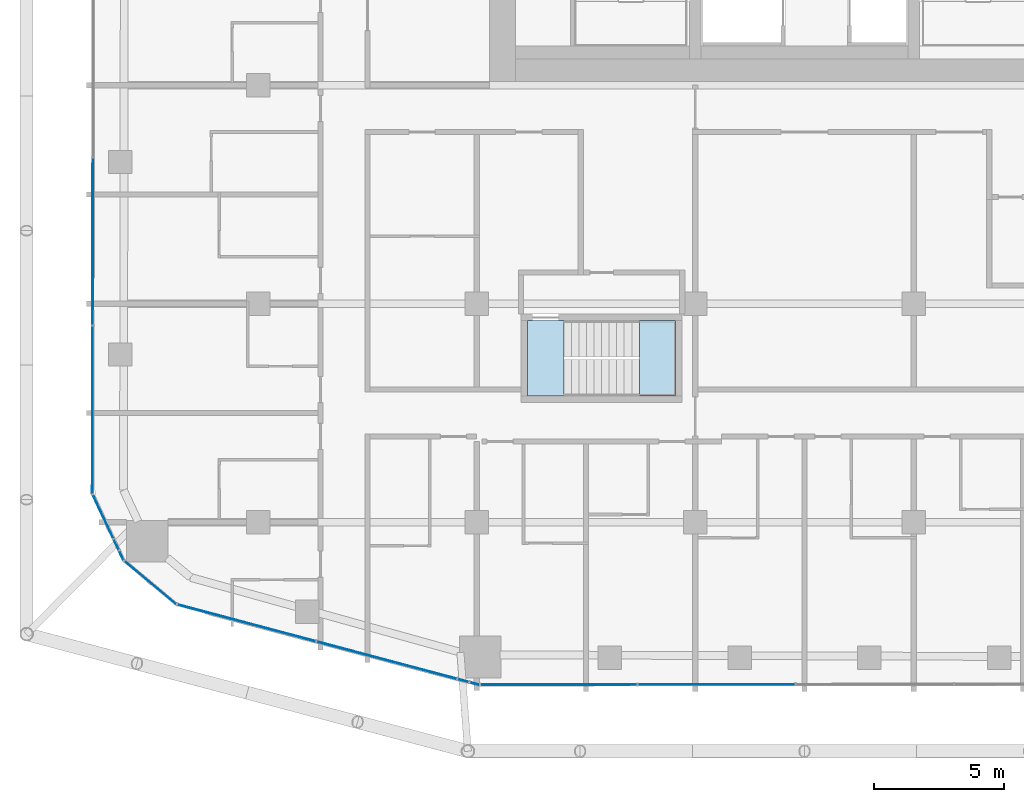
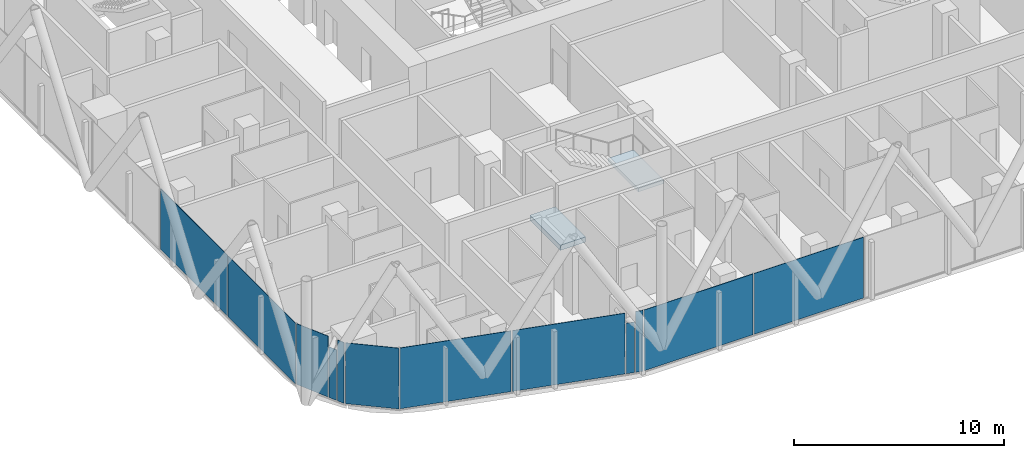
# One storey, part 18 of 33: 12 plates, 2 slabs, 10 elements without a shape of their own.
"""IFC4 building model written with IfcOpenShell, lengths in metres."""

from ifc_helpers import new_model, si_unit, direction, frame, origin, origin_2d, place, context, subcontext, project, spatial, polyline, rectangle, outline, extrude, material, layer, layer_set, type_object, element, aggregate, save


model = new_model("IFC4")

# Units and contexts
model_context = context("Model", 3, precision=1e-05, world=origin(), true_north=direction((0.0, 1.0)))
body_context = subcontext(model_context, "Body", "Model", "MODEL_VIEW")
ifc_project = project(units=[si_unit("LENGTHUNIT", "METRE"), si_unit("AREAUNIT", "SQUARE_METRE"), si_unit("VOLUMEUNIT", "CUBIC_METRE"), si_unit("PLANEANGLEUNIT", "RADIAN"), si_unit("MASSUNIT", "GRAM", prefix="KILO")], contexts=[model_context])

# Site, building, storey
site_placement = place(None, origin())
site = spatial("IfcSite", under=ifc_project, at=site_placement, CompositionType="ELEMENT")
building_placement = place(site_placement, origin())
building = spatial("IfcBuilding", under=site, at=building_placement, Name="Marenta Gate Hotel Tower", CompositionType="ELEMENT")
storey_placement = place(building_placement, frame((0.0, 0.0, 108.5)))
storey = spatial("IfcBuildingStorey", under=building, at=storey_placement, Name="L23", CompositionType="ELEMENT", Elevation=108.5)

# Curtain wall, plates
ifc_material_1 = material(Name="Tinted insulated glass in bronze anodised frame", Category="glass")
ifc_layer_1 = layer(ifc_material_1, 0.1201171875)
ifc_layer_set_1 = layer_set([ifc_layer_1], Name="Tinted insulated glass in bronze anodised frame")
curtain_wall_type = type_object("IfcCurtainWallType", Name="Tower unitised curtain wall CW1", PredefinedType="NOTDEFINED", material=ifc_layer_set_1)
curtain_wall_1_placement = place(storey_placement, origin())
curtain_wall_1 = element("IfcCurtainWall", 1, at=curtain_wall_1_placement, inside=storey, type_object=curtain_wall_type, Name="CW1 run G04", PredefinedType="NOTDEFINED")
ifc_material_2 = material(Name="Tinted insulated glass", Category="glass")
ifc_layer_2 = layer(ifc_material_2, 0.028076171875)
ifc_layer_set_2 = layer_set([ifc_layer_2], Name="Tinted insulated glass")
plate_type = type_object("IfcPlateType", Name="Glass panel CW1 28 mm tinted insulated unit", PredefinedType="CURTAIN_PANEL", material=ifc_layer_set_2)
plate_1_placement = place(storey_placement, frame((-27.35791015625, -6.00390625, 0.06005859375), z_axis=(0.0, 0.0, 1.0), x_axis=(-0.001566045546, -0.99999877375, 0.0)))
plate_1 = element("IfcPlate", 2, at=plate_1_placement, type_object=plate_type, Name="CW1 panel 5.1", PredefinedType="CURTAIN_PANEL", context=body_context, shape_type="SweptSolid", body=[
    extrude(rectangle(XDim=6.39990234375, YDim=0.028076171875, at=origin_2d()), origin(), (0.0, 0.0, 1.0), 3.5400390625),
])
plate_2_placement = place(storey_placement, frame((-27.367919921875, -12.478759765625, 0.06005859375), z_axis=(0.0, 0.0, 1.0), x_axis=(-0.001566045546, -0.99999877375, 0.0)))
plate_2 = element("IfcPlate", 3, at=plate_2_placement, type_object=plate_type, Name="CW1 panel 6.1", PredefinedType="CURTAIN_PANEL", context=body_context, shape_type="SweptSolid", body=[
    extrude(rectangle(XDim=6.429931640625, YDim=0.028076171875, at=origin_2d()), origin(), (0.0, 0.0, 1.0), 3.5400390625),
])
aggregate(curtain_wall_1, [plate_1, plate_2])

# Curtain wall, plate
curtain_wall_2_placement = place(storey_placement, origin())
curtain_wall_2 = element("IfcCurtainWall", 4, at=curtain_wall_2_placement, inside=storey, type_object=curtain_wall_type, Name="CW1 run G05", PredefinedType="NOTDEFINED")
plate_3_placement = place(storey_placement, frame((-26.95849609375, -16.580810546875, 0.06005859375), z_axis=(0.0, 0.0, 1.0), x_axis=(0.423346909938, -0.90596765607, 0.0)))
plate_3 = element("IfcPlate", 5, at=plate_3_placement, type_object=plate_type, Name="CW1 panel 1.1", PredefinedType="CURTAIN_PANEL", context=body_context, shape_type="SweptSolid", body=[
    extrude(rectangle(XDim=1.837890625, YDim=0.028076171875, at=origin_2d()), origin(), (0.0, 0.0, 1.0), 3.5400390625),
])
aggregate(curtain_wall_2, [plate_3])

curtain_wall_3_placement = place(storey_placement, origin())
curtain_wall_3 = element("IfcCurtainWall", 6, at=curtain_wall_3_placement, inside=storey, type_object=curtain_wall_type, Name="CW1 run G06", PredefinedType="NOTDEFINED")
plate_4_placement = place(storey_placement, frame((-26.45458984375, -17.6591796875, 0.06005859375), z_axis=(0.0, 0.0, 1.0), x_axis=(0.423361641148, -0.905960772222, 0.0)))
plate_4 = element("IfcPlate", 7, at=plate_4_placement, type_object=plate_type, Name="CW1 panel 1.1", PredefinedType="CURTAIN_PANEL", context=body_context, shape_type="SweptSolid", body=[
    extrude(rectangle(XDim=0.4228515625, YDim=0.028076171875, at=origin_2d()), origin(), (0.0, 0.0, 1.0), 2.9404296875),
])
aggregate(curtain_wall_3, [plate_4])

curtain_wall_4_placement = place(storey_placement, origin())
curtain_wall_4 = element("IfcCurtainWall", 8, at=curtain_wall_4_placement, inside=storey, type_object=curtain_wall_type, Name="CW1 run G07", PredefinedType="NOTDEFINED")
plate_5_placement = place(storey_placement, frame((-26.25732421875, -18.081298828125, 0.06005859375), z_axis=(0.0, 0.0, 1.0), x_axis=(0.42327548639, -0.906001027936, 0.0)))
plate_5 = element("IfcPlate", 9, at=plate_5_placement, type_object=plate_type, Name="CW1 panel 1.1", PredefinedType="CURTAIN_PANEL", context=body_context, shape_type="SweptSolid", body=[
    extrude(rectangle(XDim=0.38916015625, YDim=0.028076171875, at=origin_2d()), origin(), (0.0, 0.0, 1.0), 3.5400390625),
])
aggregate(curtain_wall_4, [plate_5])

curtain_wall_5_placement = place(storey_placement, origin())
curtain_wall_5 = element("IfcCurtainWall", 10, at=curtain_wall_5_placement, inside=storey, type_object=curtain_wall_type, Name="CW1 run G08", PredefinedType="NOTDEFINED")
plate_6_placement = place(storey_placement, frame((-25.14111328125, -19.1220703125, 0.06005859375), z_axis=(0.0, 0.0, 1.0), x_axis=(0.767112858807, -0.641512168126, 0.0)))
plate_6 = element("IfcPlate", 11, at=plate_6_placement, type_object=plate_type, Name="CW1 panel 1.1", PredefinedType="CURTAIN_PANEL", context=body_context, shape_type="SweptSolid", body=[
    extrude(rectangle(XDim=2.5751953125, YDim=0.028076171875, at=origin_2d()), origin(), (0.0, 0.0, 1.0), 3.5400390625),
])
aggregate(curtain_wall_5, [plate_6])

# Curtain wall, plates
curtain_wall_6_placement = place(storey_placement, origin())
curtain_wall_6 = element("IfcCurtainWall", 12, at=curtain_wall_6_placement, inside=storey, type_object=curtain_wall_type, Name="CW1 run G09", PredefinedType="NOTDEFINED")
plate_7_placement = place(storey_placement, frame((-21.44482421875, -20.6689453125, 0.06005859375), z_axis=(0.0, 0.0, 1.0), x_axis=(0.966373224743, -0.257143521209, 0.0)))
plate_7 = element("IfcPlate", 13, at=plate_7_placement, type_object=plate_type, Name="CW1 panel 1.1", PredefinedType="CURTAIN_PANEL", context=body_context, shape_type="SweptSolid", body=[
    extrude(rectangle(XDim=5.485595703125, YDim=0.028076171875, at=origin_2d()), origin(), (0.0, 0.0, 1.0), 3.5400390625),
])
plate_8_placement = place(storey_placement, frame((-16.056884765625, -22.1025390625, 0.06005859375), z_axis=(0.0, 0.0, 1.0), x_axis=(0.966373224743, -0.257143521209, 0.0)))
plate_8 = element("IfcPlate", 14, at=plate_8_placement, type_object=plate_type, Name="CW1 panel 2.1", PredefinedType="CURTAIN_PANEL", context=body_context, shape_type="SweptSolid", body=[
    extrude(rectangle(XDim=5.54541015625, YDim=0.028076171875, at=origin_2d()), origin(), (0.0, 0.0, 1.0), 3.5400390625),
])
aggregate(curtain_wall_6, [plate_7, plate_8])

# Curtain wall, plate
curtain_wall_7_placement = place(storey_placement, origin())
curtain_wall_7 = element("IfcCurtainWall", 15, at=curtain_wall_7_placement, inside=storey, type_object=curtain_wall_type, Name="CW1 run G10", PredefinedType="NOTDEFINED")
plate_9_placement = place(storey_placement, frame((-13.11669921875, -22.885009765625, 0.06005859375), z_axis=(0.0, 0.0, 1.0), x_axis=(0.966404263523, -0.257026845764, 0.0)))
plate_9 = element("IfcPlate", 16, at=plate_9_placement, type_object=plate_type, Name="CW1 panel 1.1", PredefinedType="CURTAIN_PANEL", context=body_context, shape_type="SweptSolid", body=[
    extrude(rectangle(XDim=0.419677734375, YDim=0.028076171875, at=origin_2d()), origin(), (0.0, 0.0, 1.0), 2.9404296875),
])
aggregate(curtain_wall_7, [plate_9])

curtain_wall_8_placement = place(storey_placement, origin())
curtain_wall_8 = element("IfcCurtainWall", 17, at=curtain_wall_8_placement, inside=storey, type_object=curtain_wall_type, Name="CW1 run G11", PredefinedType="NOTDEFINED")
plate_10_placement = place(storey_placement, frame((-12.680908203125, -23.0009765625, 0.06005859375), z_axis=(0.0, 0.0, 1.0), x_axis=(0.966337096576, -0.257279256414, 0.0)))
plate_10 = element("IfcPlate", 18, at=plate_10_placement, type_object=plate_type, Name="CW1 panel 1.1", PredefinedType="CURTAIN_PANEL", context=body_context, shape_type="SweptSolid", body=[
    extrude(rectangle(XDim=0.362060546875, YDim=0.028076171875, at=origin_2d()), origin(), (0.0, 0.0, 1.0), 3.5400390625),
])
aggregate(curtain_wall_8, [plate_10])

# Curtain wall, plates
curtain_wall_9_placement = place(storey_placement, origin())
curtain_wall_9 = element("IfcCurtainWall", 19, at=curtain_wall_9_placement, inside=storey, type_object=curtain_wall_type, Name="CW1 run G12", PredefinedType="NOTDEFINED")
plate_11_placement = place(storey_placement, frame((-9.449951171875, -23.043212890625, 0.06005859375), z_axis=(0.0, 0.0, 1.0), x_axis=(0.999999068791, 0.00136470383, 0.0)))
plate_11 = element("IfcPlate", 20, at=plate_11_placement, type_object=plate_type, Name="CW1 panel 1.1", PredefinedType="CURTAIN_PANEL", context=body_context, shape_type="SweptSolid", body=[
    extrude(rectangle(XDim=5.991943359375, YDim=0.028076171875, at=origin_2d()), origin(), (0.0, 0.0, 1.0), 3.5400390625),
])
plate_12_placement = place(storey_placement, frame((-3.383056640625, -23.03515625, 0.06005859375), z_axis=(0.0, 0.0, 1.0), x_axis=(0.999999068791, 0.00136470383, 0.0)))
plate_12 = element("IfcPlate", 21, at=plate_12_placement, type_object=plate_type, Name="CW1 panel 2.1", PredefinedType="CURTAIN_PANEL", context=body_context, shape_type="SweptSolid", body=[
    extrude(rectangle(XDim=6.02197265625, YDim=0.028076171875, at=origin_2d()), origin(), (0.0, 0.0, 1.0), 3.5400390625),
])
aggregate(curtain_wall_9, [plate_11, plate_12])

# Stair, slab
ifc_material_3 = material(Name="Concrete C40", Category="concrete")
stair_type = type_object("IfcStairType", Name="Remote exit stair 1400 wide", PredefinedType="HALF_TURN_STAIR", material=ifc_material_3)
stair_placement = place(storey_placement, origin())
stair = element("IfcStair", 22, at=stair_placement, inside=storey, type_object=stair_type, Name="Exit stair RS-Z2-1", PredefinedType="HALF_TURN_STAIR")
ifc_material_4 = material(Name="Concrete C40", Category="concrete")
ifc_layer_3 = layer(ifc_material_4, 0.199951171875)
ifc_layer_set_3 = layer_set([ifc_layer_3], Name="Concrete C40")
slab_type_1 = type_object("IfcSlabType", Name="Remote stair landing 200", PredefinedType="LANDING", material=ifc_layer_set_3)
slab_1_placement = place(storey_placement, frame((0.0, 0.0, 1.60009765625)))
slab_1 = element("IfcSlab", 23, at=slab_1_placement, type_object=slab_type_1, Name="RL-200 RS-Z2-1 landing 1", PredefinedType="LANDING", context=body_context, shape_type="SweptSolid", body=[
    extrude(outline(polyline([(-6.35009765625, -11.949951171875), (-4.949951171875, -11.949951171875), (-4.949951171875, -9.050048828125), (-6.35009765625, -9.050048828125), (-6.35009765625, -11.949951171875)])), origin(), (0.0, 0.0, 1.0), 0.199951171875),
])
aggregate(stair, [slab_1])

# Slab
ifc_material_5 = material(Name="Concrete C40", Category="concrete")
ifc_layer_4 = layer(ifc_material_5, 0.300048828125)
ifc_layer_set_4 = layer_set([ifc_layer_4], Name="Concrete C40")
slab_type_2 = type_object("IfcSlabType", Name="Stair floor landing slab 300", PredefinedType="FLOOR", material=ifc_layer_set_4)
slab_2_placement = place(storey_placement, frame((0.0, 0.0, -0.300048828125)))
element("IfcSlab", 24, at=slab_2_placement, inside=storey, type_object=slab_type_2, Name="L23-RS-Z2-1-CL", PredefinedType="FLOOR", context=body_context, shape_type="SweptSolid", body=[
    extrude(outline(polyline([(-9.25, -11.949951171875), (-9.25, -9.050048828125), (-10.64990234375, -9.050048828125), (-10.64990234375, -11.949951171875), (-9.25, -11.949951171875)])), origin(), (0.0, 0.0, 1.0), 0.300048828125),
])

save(model, "model.ifc")
